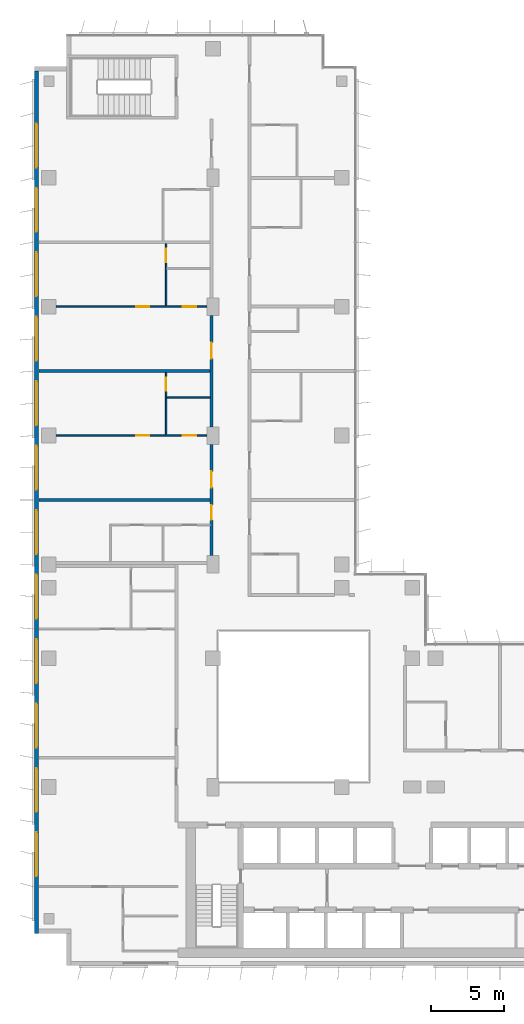
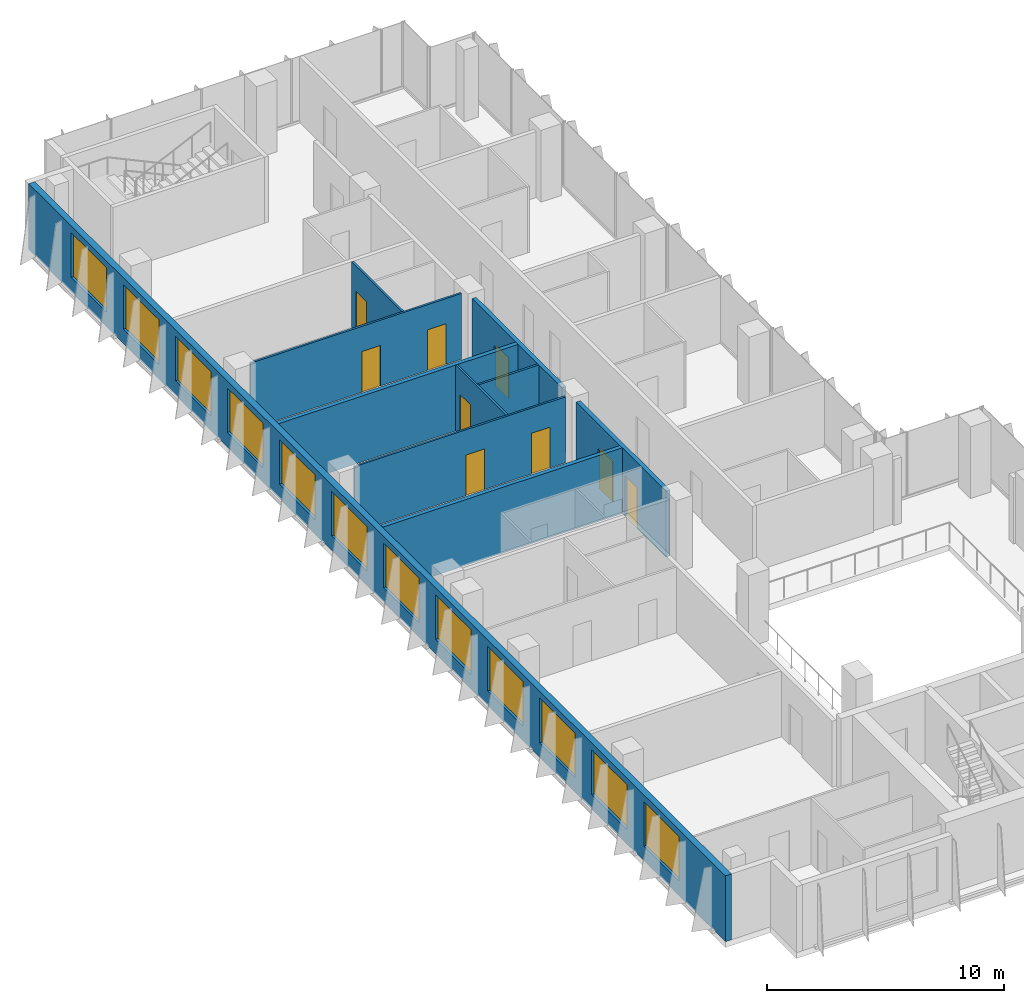
# One storey, part 16 of 21: 12 windows, 10 walls, 9 doors, 21 openings.
"""IFC4 building model written with IfcOpenShell, lengths in metres."""

from ifc_helpers import new_model, si_unit, direction, frame, frame_2d, origin, place, context, subcontext, project, spatial, rectangle, extrude, material, layer, layer_set, type_object, element, fill, save


model = new_model("IFC4")

# Units and contexts
model_context = context("Model", 3, precision=1e-05, world=origin(), true_north=direction((0.0, 1.0)))
body_context = subcontext(model_context, "Body", "Model", "MODEL_VIEW")
ifc_project = project(units=[si_unit("LENGTHUNIT", "METRE"), si_unit("AREAUNIT", "SQUARE_METRE"), si_unit("VOLUMEUNIT", "CUBIC_METRE"), si_unit("PLANEANGLEUNIT", "RADIAN"), si_unit("MASSUNIT", "GRAM", prefix="KILO")], contexts=[model_context])

# Site, building, storey
site_placement = place(None, origin())
site = spatial("IfcSite", under=ifc_project, at=site_placement, CompositionType="ELEMENT")
building_placement = place(site_placement, origin())
building = spatial("IfcBuilding", under=site, at=building_placement, Name="Kemantara Hotel Tower", CompositionType="ELEMENT")
storey_placement = place(building_placement, frame((0.0, 0.0, 208.0)))
storey = spatial("IfcBuildingStorey", under=building, at=storey_placement, Name="L51", CompositionType="ELEMENT", Elevation=208.0)

# Wall, openings, windows
ifc_material_1 = material(Name="Bronze anodised aluminium cladding on insulated steel stud wall", Category="steel")
ifc_layer_1 = layer(ifc_material_1, 0.300048828125)
ifc_layer_set_1 = layer_set([ifc_layer_1], Name="Bronze anodised aluminium cladding on insulated steel stud wall")
wall_type_1 = type_object("IfcWallType", Name="BRONZE METAL-CLAD EXTERNAL WALL 300", PredefinedType="STANDARD", material=ifc_layer_set_1)
wall_1_placement = place(storey_placement, frame((0.14990234375, 61.10009765625, 0.0), z_axis=(0.0, 0.0, 1.0), x_axis=(0.0, -1.0, 0.0)))
wall_1 = element("IfcWall", 1, at=wall_1_placement, inside=storey, type_object=wall_type_1, Name="EXTERNAL WALL L51 T3-R05", PredefinedType="STANDARD", context=body_context, shape_type="SweptSolid", body=[
    extrude(rectangle(XDim=58.900146484375, YDim=0.300048828125, at=frame_2d((29.4501953125, 0.0))), origin(), (0.0, 0.0, 1.0), 3.39990234375),
])
opening_1_placement = place(wall_1_placement, frame((3.60009765625, 0.0, 0.75)))
opening_1 = element("IfcOpeningElement", 2, at=opening_1_placement, cuts=wall_1, Name="Opening W1", PredefinedType="OPENING", context=body_context, shape_type="SweptSolid", body=[
    extrude(rectangle(XDim=3.0, YDim=2.300048828125, at=frame_2d((1.5, 1.14990234375))), frame((0.0, 0.159912109375, 0.0), z_axis=(0.0, -1.0, 0.0), x_axis=(1.0, 0.0, 0.0)), (0.0, 0.0, 1.0), 0.320068359375),
])
opening_2_placement = place(wall_1_placement, frame((8.0, 0.0, 0.75)))
opening_2 = element("IfcOpeningElement", 3, at=opening_2_placement, cuts=wall_1, Name="Opening W1", PredefinedType="OPENING", context=body_context, shape_type="SweptSolid", body=[
    extrude(rectangle(XDim=3.0, YDim=2.300048828125, at=frame_2d((1.5, 1.14990234375))), frame((0.0, 0.159912109375, 0.0), z_axis=(0.0, -1.0, 0.0), x_axis=(1.0, 0.0, 0.0)), (0.0, 0.0, 1.0), 0.320068359375),
])
opening_3_placement = place(wall_1_placement, frame((12.39990234375, 0.0, 0.75)))
opening_3 = element("IfcOpeningElement", 4, at=opening_3_placement, cuts=wall_1, Name="Opening W1", PredefinedType="OPENING", context=body_context, shape_type="SweptSolid", body=[
    extrude(rectangle(XDim=3.0, YDim=2.300048828125, at=frame_2d((1.5, 1.14990234375))), frame((0.0, 0.159912109375, 0.0), z_axis=(0.0, -1.0, 0.0), x_axis=(1.0, 0.0, 0.0)), (0.0, 0.0, 1.0), 0.320068359375),
])
opening_4_placement = place(wall_1_placement, frame((16.800048828125, 0.0, 0.75)))
opening_4 = element("IfcOpeningElement", 5, at=opening_4_placement, cuts=wall_1, Name="Opening W1", PredefinedType="OPENING", context=body_context, shape_type="SweptSolid", body=[
    extrude(rectangle(XDim=3.0, YDim=2.300048828125, at=frame_2d((1.5, 1.14990234375))), frame((0.0, 0.159912109375, 0.0), z_axis=(0.0, -1.0, 0.0), x_axis=(1.0, 0.0, 0.0)), (0.0, 0.0, 1.0), 0.320068359375),
])
opening_5_placement = place(wall_1_placement, frame((21.199951171875, 0.0, 0.75)))
opening_5 = element("IfcOpeningElement", 6, at=opening_5_placement, cuts=wall_1, Name="Opening W1", PredefinedType="OPENING", context=body_context, shape_type="SweptSolid", body=[
    extrude(rectangle(XDim=3.0, YDim=2.300048828125, at=frame_2d((1.5, 1.14990234375))), frame((0.0, 0.159912109375, 0.0), z_axis=(0.0, -1.0, 0.0), x_axis=(1.0, 0.0, 0.0)), (0.0, 0.0, 1.0), 0.320068359375),
])
opening_6_placement = place(wall_1_placement, frame((25.60009765625, 0.0, 0.75)))
opening_6 = element("IfcOpeningElement", 7, at=opening_6_placement, cuts=wall_1, Name="Opening W1", PredefinedType="OPENING", context=body_context, shape_type="SweptSolid", body=[
    extrude(rectangle(XDim=3.0, YDim=2.300048828125, at=frame_2d((1.5, 1.14990234375))), frame((0.0, 0.159912109375, 0.0), z_axis=(0.0, -1.0, 0.0), x_axis=(1.0, 0.0, 0.0)), (0.0, 0.0, 1.0), 0.320068359375),
])
opening_7_placement = place(wall_1_placement, frame((30.0, 0.0, 0.75)))
opening_7 = element("IfcOpeningElement", 8, at=opening_7_placement, cuts=wall_1, Name="Opening W1", PredefinedType="OPENING", context=body_context, shape_type="SweptSolid", body=[
    extrude(rectangle(XDim=3.0, YDim=2.300048828125, at=frame_2d((1.5, 1.14990234375))), frame((0.0, 0.159912109375, 0.0), z_axis=(0.0, -1.0, 0.0), x_axis=(1.0, 0.0, 0.0)), (0.0, 0.0, 1.0), 0.320068359375),
])
opening_8_placement = place(wall_1_placement, frame((34.39990234375, 0.0, 0.75)))
opening_8 = element("IfcOpeningElement", 9, at=opening_8_placement, cuts=wall_1, Name="Opening W1", PredefinedType="OPENING", context=body_context, shape_type="SweptSolid", body=[
    extrude(rectangle(XDim=3.0, YDim=2.300048828125, at=frame_2d((1.5, 1.14990234375))), frame((0.0, 0.159912109375, 0.0), z_axis=(0.0, -1.0, 0.0), x_axis=(1.0, 0.0, 0.0)), (0.0, 0.0, 1.0), 0.320068359375),
])
opening_9_placement = place(wall_1_placement, frame((38.800048828125, 0.0, 0.75)))
opening_9 = element("IfcOpeningElement", 10, at=opening_9_placement, cuts=wall_1, Name="Opening W1", PredefinedType="OPENING", context=body_context, shape_type="SweptSolid", body=[
    extrude(rectangle(XDim=3.0, YDim=2.300048828125, at=frame_2d((1.5, 1.14990234375))), frame((0.0, 0.159912109375, 0.0), z_axis=(0.0, -1.0, 0.0), x_axis=(1.0, 0.0, 0.0)), (0.0, 0.0, 1.0), 0.320068359375),
])
opening_10_placement = place(wall_1_placement, frame((43.199951171875, 0.0, 0.75)))
opening_10 = element("IfcOpeningElement", 11, at=opening_10_placement, cuts=wall_1, Name="Opening W1", PredefinedType="OPENING", context=body_context, shape_type="SweptSolid", body=[
    extrude(rectangle(XDim=3.0, YDim=2.300048828125, at=frame_2d((1.5, 1.14990234375))), frame((0.0, 0.159912109375, 0.0), z_axis=(0.0, -1.0, 0.0), x_axis=(1.0, 0.0, 0.0)), (0.0, 0.0, 1.0), 0.320068359375),
])
opening_11_placement = place(wall_1_placement, frame((47.60009765625, 0.0, 0.75)))
opening_11 = element("IfcOpeningElement", 12, at=opening_11_placement, cuts=wall_1, Name="Opening W1", PredefinedType="OPENING", context=body_context, shape_type="SweptSolid", body=[
    extrude(rectangle(XDim=3.0, YDim=2.300048828125, at=frame_2d((1.5, 1.14990234375))), frame((0.0, 0.159912109375, 0.0), z_axis=(0.0, -1.0, 0.0), x_axis=(1.0, 0.0, 0.0)), (0.0, 0.0, 1.0), 0.320068359375),
])
opening_12_placement = place(wall_1_placement, frame((52.0, 0.0, 0.75)))
opening_12 = element("IfcOpeningElement", 13, at=opening_12_placement, cuts=wall_1, Name="Opening W1", PredefinedType="OPENING", context=body_context, shape_type="SweptSolid", body=[
    extrude(rectangle(XDim=3.0, YDim=2.300048828125, at=frame_2d((1.5, 1.14990234375))), frame((0.0, 0.159912109375, 0.0), z_axis=(0.0, -1.0, 0.0), x_axis=(1.0, 0.0, 0.0)), (0.0, 0.0, 1.0), 0.320068359375),
])
ifc_material_2 = material(Name="Low-E tinted double insulated glass in bronze anodised aluminium frame", Category="aluminium")
window_type = type_object("IfcWindowType", Name="CHICAGO WINDOW, TRIPLE PANEL 3000x2300", PartitioningType="TRIPLE_PANEL_VERTICAL", PredefinedType="WINDOW", material=ifc_material_2)
window_1_placement = place(opening_1_placement, origin())
window_1 = element("IfcWindow", 14, at=window_1_placement, inside=storey, type_object=window_type, Name="CHICAGO WINDOW L51 T3-R05-54", OverallHeight=2.300048828125, OverallWidth=3.0, PartitioningType="SINGLE_PANEL", PredefinedType="WINDOW", context=body_context, shape_type="SweptSolid", body=[
    extrude(rectangle(XDim=3.0, YDim=2.300048828125, at=frame_2d((1.5, 1.14990234375))), frame((0.0, 0.030029296875, 0.0), z_axis=(0.0, -1.0, 0.0), x_axis=(1.0, 0.0, 0.0)), (0.0, 0.0, 1.0), 0.06005859375),
])
fill(opening_1, window_1)
window_2_placement = place(opening_2_placement, origin())
window_2 = element("IfcWindow", 15, at=window_2_placement, inside=storey, type_object=window_type, Name="CHICAGO WINDOW L51 T3-R05-98", OverallHeight=2.300048828125, OverallWidth=3.0, PartitioningType="SINGLE_PANEL", PredefinedType="WINDOW", context=body_context, shape_type="SweptSolid", body=[
    extrude(rectangle(XDim=3.0, YDim=2.300048828125, at=frame_2d((1.5, 1.14990234375))), frame((0.0, 0.030029296875, 0.0), z_axis=(0.0, -1.0, 0.0), x_axis=(1.0, 0.0, 0.0)), (0.0, 0.0, 1.0), 0.06005859375),
])
fill(opening_2, window_2)
window_3_placement = place(opening_3_placement, origin())
window_3 = element("IfcWindow", 16, at=window_3_placement, inside=storey, type_object=window_type, Name="CHICAGO WINDOW L51 T3-R05-142", OverallHeight=2.300048828125, OverallWidth=3.0, PartitioningType="SINGLE_PANEL", PredefinedType="WINDOW", context=body_context, shape_type="SweptSolid", body=[
    extrude(rectangle(XDim=3.0, YDim=2.300048828125, at=frame_2d((1.5, 1.14990234375))), frame((0.0, 0.030029296875, 0.0), z_axis=(0.0, -1.0, 0.0), x_axis=(1.0, 0.0, 0.0)), (0.0, 0.0, 1.0), 0.06005859375),
])
fill(opening_3, window_3)
window_4_placement = place(opening_4_placement, origin())
window_4 = element("IfcWindow", 17, at=window_4_placement, inside=storey, type_object=window_type, Name="CHICAGO WINDOW L51 T3-R05-186", OverallHeight=2.300048828125, OverallWidth=3.0, PartitioningType="SINGLE_PANEL", PredefinedType="WINDOW", context=body_context, shape_type="SweptSolid", body=[
    extrude(rectangle(XDim=3.0, YDim=2.300048828125, at=frame_2d((1.5, 1.14990234375))), frame((0.0, 0.030029296875, 0.0), z_axis=(0.0, -1.0, 0.0), x_axis=(1.0, 0.0, 0.0)), (0.0, 0.0, 1.0), 0.06005859375),
])
fill(opening_4, window_4)
window_5_placement = place(opening_5_placement, origin())
window_5 = element("IfcWindow", 18, at=window_5_placement, inside=storey, type_object=window_type, Name="CHICAGO WINDOW L51 T3-R05-230", OverallHeight=2.300048828125, OverallWidth=3.0, PartitioningType="SINGLE_PANEL", PredefinedType="WINDOW", context=body_context, shape_type="SweptSolid", body=[
    extrude(rectangle(XDim=3.0, YDim=2.300048828125, at=frame_2d((1.5, 1.14990234375))), frame((0.0, 0.030029296875, 0.0), z_axis=(0.0, -1.0, 0.0), x_axis=(1.0, 0.0, 0.0)), (0.0, 0.0, 1.0), 0.06005859375),
])
fill(opening_5, window_5)
window_6_placement = place(opening_6_placement, origin())
window_6 = element("IfcWindow", 19, at=window_6_placement, inside=storey, type_object=window_type, Name="CHICAGO WINDOW L51 T3-R05-274", OverallHeight=2.300048828125, OverallWidth=3.0, PartitioningType="SINGLE_PANEL", PredefinedType="WINDOW", context=body_context, shape_type="SweptSolid", body=[
    extrude(rectangle(XDim=3.0, YDim=2.300048828125, at=frame_2d((1.5, 1.14990234375))), frame((0.0, 0.030029296875, 0.0), z_axis=(0.0, -1.0, 0.0), x_axis=(1.0, 0.0, 0.0)), (0.0, 0.0, 1.0), 0.06005859375),
])
fill(opening_6, window_6)
window_7_placement = place(opening_7_placement, origin())
window_7 = element("IfcWindow", 20, at=window_7_placement, inside=storey, type_object=window_type, Name="CHICAGO WINDOW L51 T3-R05-318", OverallHeight=2.300048828125, OverallWidth=3.0, PartitioningType="SINGLE_PANEL", PredefinedType="WINDOW", context=body_context, shape_type="SweptSolid", body=[
    extrude(rectangle(XDim=3.0, YDim=2.300048828125, at=frame_2d((1.5, 1.14990234375))), frame((0.0, 0.030029296875, 0.0), z_axis=(0.0, -1.0, 0.0), x_axis=(1.0, 0.0, 0.0)), (0.0, 0.0, 1.0), 0.06005859375),
])
fill(opening_7, window_7)
window_8_placement = place(opening_8_placement, origin())
window_8 = element("IfcWindow", 21, at=window_8_placement, inside=storey, type_object=window_type, Name="CHICAGO WINDOW L51 T3-R05-362", OverallHeight=2.300048828125, OverallWidth=3.0, PartitioningType="SINGLE_PANEL", PredefinedType="WINDOW", context=body_context, shape_type="SweptSolid", body=[
    extrude(rectangle(XDim=3.0, YDim=2.300048828125, at=frame_2d((1.5, 1.14990234375))), frame((0.0, 0.030029296875, 0.0), z_axis=(0.0, -1.0, 0.0), x_axis=(1.0, 0.0, 0.0)), (0.0, 0.0, 1.0), 0.06005859375),
])
fill(opening_8, window_8)
window_9_placement = place(opening_9_placement, origin())
window_9 = element("IfcWindow", 22, at=window_9_placement, inside=storey, type_object=window_type, Name="CHICAGO WINDOW L51 T3-R05-406", OverallHeight=2.300048828125, OverallWidth=3.0, PartitioningType="SINGLE_PANEL", PredefinedType="WINDOW", context=body_context, shape_type="SweptSolid", body=[
    extrude(rectangle(XDim=3.0, YDim=2.300048828125, at=frame_2d((1.5, 1.14990234375))), frame((0.0, 0.030029296875, 0.0), z_axis=(0.0, -1.0, 0.0), x_axis=(1.0, 0.0, 0.0)), (0.0, 0.0, 1.0), 0.06005859375),
])
fill(opening_9, window_9)
window_10_placement = place(opening_10_placement, origin())
window_10 = element("IfcWindow", 23, at=window_10_placement, inside=storey, type_object=window_type, Name="CHICAGO WINDOW L51 T3-R05-450", OverallHeight=2.300048828125, OverallWidth=3.0, PartitioningType="SINGLE_PANEL", PredefinedType="WINDOW", context=body_context, shape_type="SweptSolid", body=[
    extrude(rectangle(XDim=3.0, YDim=2.300048828125, at=frame_2d((1.5, 1.14990234375))), frame((0.0, 0.030029296875, 0.0), z_axis=(0.0, -1.0, 0.0), x_axis=(1.0, 0.0, 0.0)), (0.0, 0.0, 1.0), 0.06005859375),
])
fill(opening_10, window_10)
window_11_placement = place(opening_11_placement, origin())
window_11 = element("IfcWindow", 24, at=window_11_placement, inside=storey, type_object=window_type, Name="CHICAGO WINDOW L51 T3-R05-494", OverallHeight=2.300048828125, OverallWidth=3.0, PartitioningType="SINGLE_PANEL", PredefinedType="WINDOW", context=body_context, shape_type="SweptSolid", body=[
    extrude(rectangle(XDim=3.0, YDim=2.300048828125, at=frame_2d((1.5, 1.14990234375))), frame((0.0, 0.030029296875, 0.0), z_axis=(0.0, -1.0, 0.0), x_axis=(1.0, 0.0, 0.0)), (0.0, 0.0, 1.0), 0.06005859375),
])
fill(opening_11, window_11)
window_12_placement = place(opening_12_placement, origin())
window_12 = element("IfcWindow", 25, at=window_12_placement, inside=storey, type_object=window_type, Name="CHICAGO WINDOW L51 T3-R05-538", OverallHeight=2.300048828125, OverallWidth=3.0, PartitioningType="SINGLE_PANEL", PredefinedType="WINDOW", context=body_context, shape_type="SweptSolid", body=[
    extrude(rectangle(XDim=3.0, YDim=2.300048828125, at=frame_2d((1.5, 1.14990234375))), frame((0.0, 0.030029296875, 0.0), z_axis=(0.0, -1.0, 0.0), x_axis=(1.0, 0.0, 0.0)), (0.0, 0.0, 1.0), 0.06005859375),
])
fill(opening_12, window_12)

# Wall, openings, doors
ifc_material_3 = material(Name="Gypsum board partition, steel studs and mineral wool, 200 mm", Category="steel")
ifc_layer_2 = layer(ifc_material_3, 0.199951171875)
ifc_layer_set_2 = layer_set([ifc_layer_2], Name="Gypsum board partition, steel studs and mineral wool, 200 mm")
wall_type_2 = type_object("IfcWallType", Name="CORRIDOR WALL 200", PredefinedType="PARTITIONING", material=ifc_layer_set_2)
wall_2_placement = place(storey_placement, frame((12.10009765625, 28.0, 0.0), z_axis=(0.0, 0.0, 1.0), x_axis=(0.0, 1.0, 0.0)))
wall_2 = element("IfcWall", 26, at=wall_2_placement, inside=storey, type_object=wall_type_2, Name="CORRIDOR WALL 200 017", PredefinedType="PARTITIONING", context=body_context, shape_type="SweptSolid", body=[
    extrude(rectangle(XDim=7.599853515625, YDim=0.199951171875, at=frame_2d((3.7998046875, 0.0))), origin(), (0.0, 0.0, 1.0), 3.39990234375),
])
opening_13_placement = place(wall_2_placement, frame((2.449951171875, 0.0, 0.0)))
opening_13 = element("IfcOpeningElement", 27, at=opening_13_placement, cuts=wall_2, Name="Opening F25-031", PredefinedType="OPENING", context=body_context, shape_type="SweptSolid", body=[
    extrude(rectangle(XDim=1.0, YDim=2.10009765625, at=frame_2d((0.5, 1.050048828125))), frame((0.0, 0.10986328125, 0.0), z_axis=(0.0, -1.0, 0.0), x_axis=(1.0, 0.0, 0.0)), (0.0, 0.0, 1.0), 0.219970703125),
])
opening_14_placement = place(wall_2_placement, frame((4.64990234375, 0.0, 0.0)))
opening_14 = element("IfcOpeningElement", 28, at=opening_14_placement, cuts=wall_2, Name="Opening F25-034", PredefinedType="OPENING", context=body_context, shape_type="SweptSolid", body=[
    extrude(rectangle(XDim=1.10009765625, YDim=2.10009765625, at=frame_2d((0.550048828125, 1.050048828125))), frame((0.0, 0.10986328125, 0.0), z_axis=(0.0, -1.0, 0.0), x_axis=(1.0, 0.0, 0.0)), (0.0, 0.0, 1.0), 0.219970703125),
])
ifc_material_4 = material(Name="Hardwood veneer door leaf with steel frame", Category="steel")
door_type_1 = type_object("IfcDoorType", Name="GUEST ROOM DOOR 1000 X 2100 FD30S", OperationType="NOTDEFINED", PredefinedType="DOOR", material=ifc_material_4)
door_1_placement = place(opening_13_placement, origin())
door_1 = element("IfcDoor", 29, at=door_1_placement, inside=storey, type_object=door_type_1, Name="GUEST ROOM DOOR F25-031", OperationType="SINGLE_SWING_RIGHT", OverallHeight=2.10009765625, OverallWidth=1.0, PredefinedType="DOOR", context=body_context, shape_type="SweptSolid", body=[
    extrude(rectangle(XDim=1.0, YDim=2.10009765625, at=frame_2d((0.5, 1.050048828125))), frame((0.0, 0.02490234375, 0.0), z_axis=(0.0, -1.0, 0.0), x_axis=(1.0, 0.0, 0.0)), (0.0, 0.0, 1.0), 0.050048828125),
])
fill(opening_13, door_1)
door_type_2 = type_object("IfcDoorType", Name="SUITE ENTRANCE DOOR 1100 X 2100 FD30S", OperationType="NOTDEFINED", PredefinedType="DOOR", material=ifc_material_4)
door_2_placement = place(opening_14_placement, origin())
door_2 = element("IfcDoor", 30, at=door_2_placement, inside=storey, type_object=door_type_2, Name="SUITE ENTRANCE DOOR F25-034", OperationType="SINGLE_SWING_LEFT", OverallHeight=2.10009765625, OverallWidth=1.10009765625, PredefinedType="DOOR", context=body_context, shape_type="SweptSolid", body=[
    extrude(rectangle(XDim=1.10009765625, YDim=2.10009765625, at=frame_2d((0.550048828125, 1.050048828125))), frame((0.0, 0.02490234375, 0.0), z_axis=(0.0, -1.0, 0.0), x_axis=(1.0, 0.0, 0.0)), (0.0, 0.0, 1.0), 0.050048828125),
])
fill(opening_14, door_2)

# Wall, opening, door
wall_3_placement = place(storey_placement, frame((12.10009765625, 36.800048828125, 0.0), z_axis=(0.0, 0.0, 1.0), x_axis=(0.0, 1.0, 0.0)))
wall_3 = element("IfcWall", 31, at=wall_3_placement, inside=storey, type_object=wall_type_2, Name="CORRIDOR WALL 200 018", PredefinedType="PARTITIONING", context=body_context, shape_type="SweptSolid", body=[
    extrude(rectangle(XDim=7.599853515625, YDim=0.199951171875, at=frame_2d((3.7998046875, 0.0))), origin(), (0.0, 0.0, 1.0), 3.39990234375),
])
opening_15_placement = place(wall_3_placement, frame((4.64990234375, 0.0, 0.0)))
opening_15 = element("IfcOpeningElement", 32, at=opening_15_placement, cuts=wall_3, Name="Opening F25-038", PredefinedType="OPENING", context=body_context, shape_type="SweptSolid", body=[
    extrude(rectangle(XDim=1.10009765625, YDim=2.10009765625, at=frame_2d((0.550048828125, 1.050048828125))), frame((0.0, 0.10986328125, 0.0), z_axis=(0.0, -1.0, 0.0), x_axis=(1.0, 0.0, 0.0)), (0.0, 0.0, 1.0), 0.219970703125),
])
door_3_placement = place(opening_15_placement, origin())
door_3 = element("IfcDoor", 33, at=door_3_placement, inside=storey, type_object=door_type_2, Name="SUITE ENTRANCE DOOR F25-038", OperationType="SINGLE_SWING_LEFT", OverallHeight=2.10009765625, OverallWidth=1.10009765625, PredefinedType="DOOR", context=body_context, shape_type="SweptSolid", body=[
    extrude(rectangle(XDim=1.10009765625, YDim=2.10009765625, at=frame_2d((0.550048828125, 1.050048828125))), frame((0.0, 0.02490234375, 0.0), z_axis=(0.0, -1.0, 0.0), x_axis=(1.0, 0.0, 0.0)), (0.0, 0.0, 1.0), 0.050048828125),
])
fill(opening_15, door_3)

# Walls
ifc_layer_3 = layer(ifc_material_3, 0.199951171875)
ifc_layer_set_3 = layer_set([ifc_layer_3], Name="Gypsum board partition, steel studs and mineral wool, 200 mm")
wall_type_3 = type_object("IfcWallType", Name="GUEST ROOM PARTY WALL 200", PredefinedType="PARTITIONING", material=ifc_layer_set_3)
for number, where, z_axis, x_axis, name in (
    (34, (0.31005859375, 31.800048828125, 0.0), (0.0, 0.0, 1.0), (1.0, 0.0, 0.0), "GUEST ROOM PARTY WALL 200 022"),
    (35, (0.31005859375, 40.60009765625, 0.0), (0.0, 0.0, 1.0), (1.0, 0.0, 0.0), "GUEST ROOM PARTY WALL 200 024"),
):
    element("IfcWall", number, at=place(storey_placement, frame(where, z_axis=z_axis, x_axis=x_axis)), inside=storey, type_object=wall_type_3, Name=name, PredefinedType="PARTITIONING", context=body_context, shape_type="SweptSolid", body=[
        extrude(rectangle(XDim=11.68994140625, YDim=0.199951171875, at=frame_2d((5.844970703125, 0.0))), origin(), (0.0, 0.0, 1.0), 3.39990234375),
    ])

# Wall, opening, door
ifc_material_5 = material(Name="Gypsum board partition on steel studs, 100 mm", Category="steel")
ifc_layer_4 = layer(ifc_material_5, 0.10009765625)
ifc_layer_set_4 = layer_set([ifc_layer_4], Name="Gypsum board partition on steel studs, 100 mm")
wall_type_4 = type_object("IfcWallType", Name="ROOM PARTITION 100", PredefinedType="PARTITIONING", material=ifc_layer_set_4)
wall_4_placement = place(storey_placement, frame((9.0, 40.5, 0.0), z_axis=(0.0, 0.0, 1.0), x_axis=(0.0, -1.0, 0.0)))
wall_4 = element("IfcWall", 36, at=wall_4_placement, inside=storey, type_object=wall_type_4, Name="ROOM PARTITION 100 063", PredefinedType="PARTITIONING", context=body_context, shape_type="SweptSolid", body=[
    extrude(rectangle(XDim=4.25, YDim=0.10009765625, at=frame_2d((2.125, 0.0))), origin(), (0.0, 0.0, 1.0), 3.39990234375),
])
opening_16_placement = place(wall_4_placement, frame((0.35009765625, 0.0, 0.0)))
opening_16 = element("IfcOpeningElement", 37, at=opening_16_placement, cuts=wall_4, Name="Opening F25-037", PredefinedType="OPENING", context=body_context, shape_type="SweptSolid", body=[
    extrude(rectangle(XDim=0.89990234375, YDim=2.10009765625, at=frame_2d((0.449951171875, 1.050048828125))), frame((0.0, 0.06005859375, 0.0), z_axis=(0.0, -1.0, 0.0), x_axis=(1.0, 0.0, 0.0)), (0.0, 0.0, 1.0), 0.1201171875),
])
door_type_3 = type_object("IfcDoorType", Name="BATHROOM DOOR 900 X 2100", OperationType="NOTDEFINED", PredefinedType="DOOR", material=ifc_material_4)
door_4_placement = place(opening_16_placement, origin())
door_4 = element("IfcDoor", 38, at=door_4_placement, inside=storey, type_object=door_type_3, Name="BATHROOM DOOR F25-037", OperationType="SINGLE_SWING_RIGHT", OverallHeight=2.10009765625, OverallWidth=0.89990234375, PredefinedType="DOOR", context=body_context, shape_type="SweptSolid", body=[
    extrude(rectangle(XDim=0.89990234375, YDim=2.10009765625, at=frame_2d((0.449951171875, 1.050048828125))), frame((0.0, 0.02490234375, 0.0), z_axis=(0.0, -1.0, 0.0), x_axis=(1.0, 0.0, 0.0)), (0.0, 0.0, 1.0), 0.050048828125),
])
fill(opening_16, door_4)

wall_5_placement = place(storey_placement, frame((9.0, 49.300048828125, 0.0), z_axis=(0.0, 0.0, 1.0), x_axis=(0.0, -1.0, 0.0)))
wall_5 = element("IfcWall", 39, at=wall_5_placement, inside=storey, type_object=wall_type_4, Name="ROOM PARTITION 100 064", PredefinedType="PARTITIONING", context=body_context, shape_type="SweptSolid", body=[
    extrude(rectangle(XDim=4.25, YDim=0.10009765625, at=frame_2d((2.125, 0.0))), origin(), (0.0, 0.0, 1.0), 3.39990234375),
])
opening_17_placement = place(wall_5_placement, frame((0.35009765625, 0.0, 0.0)))
opening_17 = element("IfcOpeningElement", 40, at=opening_17_placement, cuts=wall_5, Name="Opening F25-041", PredefinedType="OPENING", context=body_context, shape_type="SweptSolid", body=[
    extrude(rectangle(XDim=0.89990234375, YDim=2.10009765625, at=frame_2d((0.449951171875, 1.050048828125))), frame((0.0, 0.06005859375, 0.0), z_axis=(0.0, -1.0, 0.0), x_axis=(1.0, 0.0, 0.0)), (0.0, 0.0, 1.0), 0.1201171875),
])
door_5_placement = place(opening_17_placement, origin())
door_5 = element("IfcDoor", 41, at=door_5_placement, inside=storey, type_object=door_type_3, Name="BATHROOM DOOR F25-041", OperationType="SINGLE_SWING_RIGHT", OverallHeight=2.10009765625, OverallWidth=0.89990234375, PredefinedType="DOOR", context=body_context, shape_type="SweptSolid", body=[
    extrude(rectangle(XDim=0.89990234375, YDim=2.10009765625, at=frame_2d((0.449951171875, 1.050048828125))), frame((0.0, 0.02490234375, 0.0), z_axis=(0.0, -1.0, 0.0), x_axis=(1.0, 0.0, 0.0)), (0.0, 0.0, 1.0), 0.050048828125),
])
fill(opening_17, door_5)

# Wall, openings, doors
wall_6_placement = place(storey_placement, frame((1.5, 36.199951171875, 0.0), z_axis=(0.0, 0.0, 1.0), x_axis=(1.0, 0.0, 0.0)))
wall_6 = element("IfcWall", 42, at=wall_6_placement, inside=storey, type_object=wall_type_4, Name="ROOM PARTITION 100 065", PredefinedType="PARTITIONING", context=body_context, shape_type="SweptSolid", body=[
    extrude(rectangle(XDim=10.2998046875, YDim=0.10009765625, at=frame_2d((5.14990234375, 0.0))), origin(), (0.0, 0.0, 1.0), 3.39990234375),
])
opening_18_placement = place(wall_6_placement, frame((8.64990234375, 0.0, 0.0)))
opening_18 = element("IfcOpeningElement", 43, at=opening_18_placement, cuts=wall_6, Name="Opening F25-035", PredefinedType="OPENING", context=body_context, shape_type="SweptSolid", body=[
    extrude(rectangle(XDim=0.89990234375, YDim=2.10009765625, at=frame_2d((0.449951171875, 1.050048828125))), frame((0.0, 0.06005859375, 0.0), z_axis=(0.0, -1.0, 0.0), x_axis=(1.0, 0.0, 0.0)), (0.0, 0.0, 1.0), 0.1201171875),
])
opening_19_placement = place(wall_6_placement, frame((5.449951171875, 0.0, 0.0)))
opening_19 = element("IfcOpeningElement", 44, at=opening_19_placement, cuts=wall_6, Name="Opening F25-036", PredefinedType="OPENING", context=body_context, shape_type="SweptSolid", body=[
    extrude(rectangle(XDim=0.89990234375, YDim=2.10009765625, at=frame_2d((0.449951171875, 1.050048828125))), frame((0.0, 0.06005859375, 0.0), z_axis=(0.0, -1.0, 0.0), x_axis=(1.0, 0.0, 0.0)), (0.0, 0.0, 1.0), 0.1201171875),
])
door_type_4 = type_object("IfcDoorType", Name="INTERNAL DOOR 900 X 2100", OperationType="NOTDEFINED", PredefinedType="DOOR", material=ifc_material_4)
door_6_placement = place(opening_19_placement, origin())
door_6 = element("IfcDoor", 45, at=door_6_placement, inside=storey, type_object=door_type_4, Name="INTERNAL DOOR F25-036", OperationType="SINGLE_SWING_RIGHT", OverallHeight=2.10009765625, OverallWidth=0.89990234375, PredefinedType="DOOR", context=body_context, shape_type="SweptSolid", body=[
    extrude(rectangle(XDim=0.89990234375, YDim=2.10009765625, at=frame_2d((0.449951171875, 1.050048828125))), frame((0.0, 0.02490234375, 0.0), z_axis=(0.0, -1.0, 0.0), x_axis=(1.0, 0.0, 0.0)), (0.0, 0.0, 1.0), 0.050048828125),
])
fill(opening_19, door_6)
door_type_5 = type_object("IfcDoorType", Name="PANTRY DOOR 900 X 2100", OperationType="NOTDEFINED", PredefinedType="DOOR", material=ifc_material_4)
door_7_placement = place(opening_18_placement, frame((0.89990234375, 0.0, 0.0), z_axis=(0.0, 0.0, 1.0), x_axis=(-1.0, 0.0, 0.0)))
door_7 = element("IfcDoor", 46, at=door_7_placement, inside=storey, type_object=door_type_5, Name="PANTRY DOOR F25-035", OperationType="SINGLE_SWING_RIGHT", OverallHeight=2.10009765625, OverallWidth=0.89990234375, PredefinedType="DOOR", context=body_context, shape_type="SweptSolid", body=[
    extrude(rectangle(XDim=0.89990234375, YDim=2.10009765625, at=frame_2d((0.449951171875, 1.050048828125))), frame((0.0, 0.02490234375, 0.0), z_axis=(0.0, -1.0, 0.0), x_axis=(1.0, 0.0, 0.0)), (0.0, 0.0, 1.0), 0.050048828125),
])
fill(opening_18, door_7)

# Wall
wall_7_placement = place(storey_placement, frame((9.050048828125, 38.800048828125, 0.0), z_axis=(0.0, 0.0, 1.0), x_axis=(1.0, 0.0, 0.0)))
element("IfcWall", 47, at=wall_7_placement, inside=storey, type_object=wall_type_4, Name="ROOM PARTITION 100 066", PredefinedType="PARTITIONING", context=body_context, shape_type="SweptSolid", body=[
    extrude(rectangle(XDim=2.949951171875, YDim=0.10009765625, at=frame_2d((1.47509765625, 0.0))), origin(), (0.0, 0.0, 1.0), 3.39990234375),
])

# Wall, openings, doors
wall_8_placement = place(storey_placement, frame((1.5, 45.0, 0.0), z_axis=(0.0, 0.0, 1.0), x_axis=(1.0, 0.0, 0.0)))
wall_8 = element("IfcWall", 48, at=wall_8_placement, inside=storey, type_object=wall_type_4, Name="ROOM PARTITION 100 067", PredefinedType="PARTITIONING", context=body_context, shape_type="SweptSolid", body=[
    extrude(rectangle(XDim=10.2998046875, YDim=0.10009765625, at=frame_2d((5.14990234375, 0.0))), origin(), (0.0, 0.0, 1.0), 3.39990234375),
])
opening_20_placement = place(wall_8_placement, frame((8.64990234375, 0.0, 0.0)))
opening_20 = element("IfcOpeningElement", 49, at=opening_20_placement, cuts=wall_8, Name="Opening F25-039", PredefinedType="OPENING", context=body_context, shape_type="SweptSolid", body=[
    extrude(rectangle(XDim=0.89990234375, YDim=2.10009765625, at=frame_2d((0.449951171875, 1.050048828125))), frame((0.0, 0.06005859375, 0.0), z_axis=(0.0, -1.0, 0.0), x_axis=(1.0, 0.0, 0.0)), (0.0, 0.0, 1.0), 0.1201171875),
])
opening_21_placement = place(wall_8_placement, frame((5.449951171875, 0.0, 0.0)))
opening_21 = element("IfcOpeningElement", 50, at=opening_21_placement, cuts=wall_8, Name="Opening F25-040", PredefinedType="OPENING", context=body_context, shape_type="SweptSolid", body=[
    extrude(rectangle(XDim=0.89990234375, YDim=2.10009765625, at=frame_2d((0.449951171875, 1.050048828125))), frame((0.0, 0.06005859375, 0.0), z_axis=(0.0, -1.0, 0.0), x_axis=(1.0, 0.0, 0.0)), (0.0, 0.0, 1.0), 0.1201171875),
])
door_8_placement = place(opening_21_placement, origin())
door_8 = element("IfcDoor", 51, at=door_8_placement, inside=storey, type_object=door_type_4, Name="INTERNAL DOOR F25-040", OperationType="SINGLE_SWING_RIGHT", OverallHeight=2.10009765625, OverallWidth=0.89990234375, PredefinedType="DOOR", context=body_context, shape_type="SweptSolid", body=[
    extrude(rectangle(XDim=0.89990234375, YDim=2.10009765625, at=frame_2d((0.449951171875, 1.050048828125))), frame((0.0, 0.02490234375, 0.0), z_axis=(0.0, -1.0, 0.0), x_axis=(1.0, 0.0, 0.0)), (0.0, 0.0, 1.0), 0.050048828125),
])
fill(opening_21, door_8)
door_9_placement = place(opening_20_placement, frame((0.89990234375, 0.0, 0.0), z_axis=(0.0, 0.0, 1.0), x_axis=(-1.0, 0.0, 0.0)))
door_9 = element("IfcDoor", 52, at=door_9_placement, inside=storey, type_object=door_type_5, Name="PANTRY DOOR F25-039", OperationType="SINGLE_SWING_RIGHT", OverallHeight=2.10009765625, OverallWidth=0.89990234375, PredefinedType="DOOR", context=body_context, shape_type="SweptSolid", body=[
    extrude(rectangle(XDim=0.89990234375, YDim=2.10009765625, at=frame_2d((0.449951171875, 1.050048828125))), frame((0.0, 0.02490234375, 0.0), z_axis=(0.0, -1.0, 0.0), x_axis=(1.0, 0.0, 0.0)), (0.0, 0.0, 1.0), 0.050048828125),
])
fill(opening_20, door_9)

save(model, "model.ifc")
